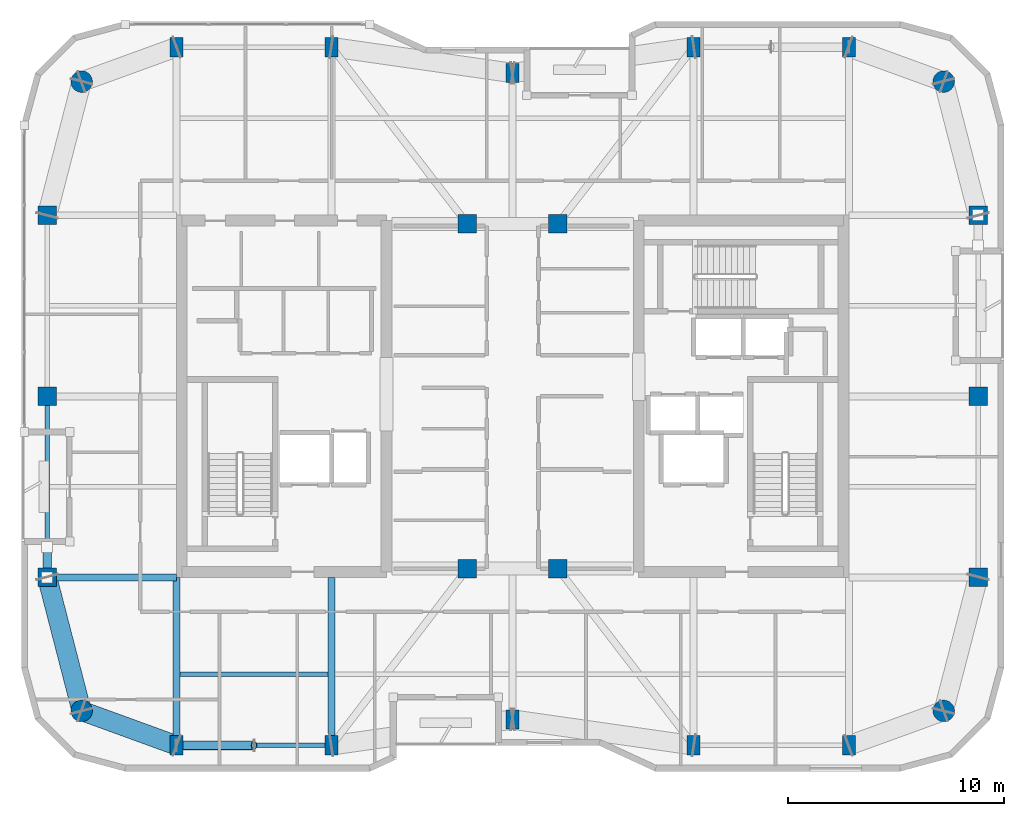
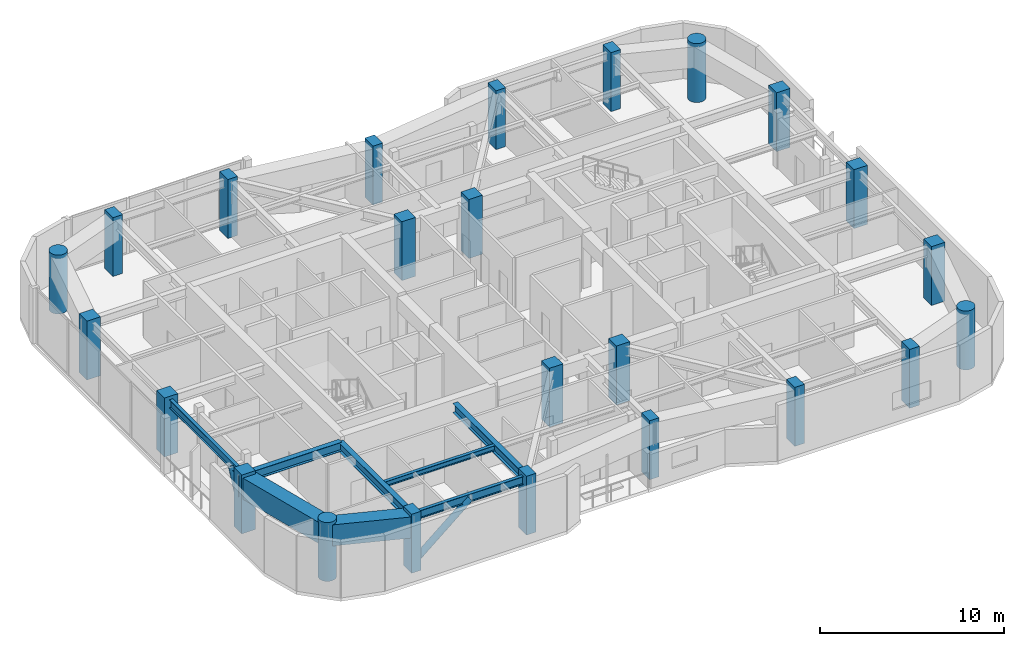
# One storey, part 1 of 16: 24 columns, 8 beams, 2 members.
"""IFC4 building model written with IfcOpenShell, lengths in metres."""

from ifc_helpers import new_model, si_unit, direction, frame, origin, origin_2d, place, context, subcontext, project, spatial, rectangle, hollow_rectangle, circle, hollow_circle, i_section, extrude, material, material_profile, profile_set, type_object, element, save


model = new_model("IFC4")

# Units and contexts
model_context = context("Model", 3, precision=1e-05, world=origin(), true_north=direction((0.0, 1.0)))
body_context = subcontext(model_context, "Body", "Model", "MODEL_VIEW")
ifc_project = project(units=[si_unit("LENGTHUNIT", "METRE"), si_unit("AREAUNIT", "SQUARE_METRE"), si_unit("VOLUMEUNIT", "CUBIC_METRE"), si_unit("PLANEANGLEUNIT", "RADIAN"), si_unit("MASSUNIT", "GRAM", prefix="KILO")], contexts=[model_context])

# Site, building, storey
site_placement = place(None, origin())
site = spatial("IfcSite", under=ifc_project, at=site_placement, CompositionType="ELEMENT")
building_placement = place(site_placement, origin())
building = spatial("IfcBuilding", under=site, at=building_placement, Name="Kiyonajd Concourse Tower", CompositionType="ELEMENT")
storey_placement = place(building_placement, frame((0.0, 0.0, 302.39990234375)))
storey = spatial("IfcBuildingStorey", under=building, at=storey_placement, Name="L76", CompositionType="ELEMENT", Elevation=302.39990234375)

# Columns
ifc_material_1 = material(Name="Concrete C60/75", Category="concrete")
ifc_material_profile_1 = material_profile(ifc_material_1, rectangle(XDim=0.60009765625, YDim=0.89990234375, at=origin_2d()), Name="RC-900x600")
ifc_profile_set_1 = profile_set([ifc_material_profile_1], Name="Concrete C60/75")
column_type_1 = type_object("IfcColumnType", Name="CL-BLADE-900", PredefinedType="COLUMN", material=ifc_profile_set_1)
for number, where, z_axis, x_axis, name in (
    (1, (32.39990234375, 19.800048828125, 0.0), (0.0, 0.0, 1.0), (1.0, 0.0, 0.0), "L76 Perimeter Bundled Tube Column"),
    (2, (32.39990234375, 52.199951171875, 0.0), (0.0, 0.0, 1.0), (1.0, 0.0, 0.0), "L76 Perimeter Bundled Tube Column"),
    (3, (39.60009765625, 19.800048828125, 0.0), (0.0, 0.0, 1.0), (1.0, 0.0, 0.0), "L76 Perimeter Bundled Tube Column"),
    (4, (39.60009765625, 52.199951171875, 0.0), (0.0, 0.0, 1.0), (1.0, 0.0, 0.0), "L76 Perimeter Bundled Tube Column"),
    (5, (48.0, 21.0, 0.0), (0.0, 0.0, 1.0), (1.0, 0.0, 0.0), "L76 Perimeter Bundled Tube Column"),
    (6, (48.0, 51.0, 0.0), (0.0, 0.0, 1.0), (1.0, 0.0, 0.0), "L76 Perimeter Bundled Tube Column"),
    (7, (56.39990234375, 19.800048828125, 0.0), (0.0, 0.0, 1.0), (1.0, 0.0, 0.0), "L76 Perimeter Bundled Tube Column"),
    (8, (56.39990234375, 52.199951171875, 0.0), (0.0, 0.0, 1.0), (1.0, 0.0, 0.0), "L76 Perimeter Bundled Tube Column"),
    (9, (63.60009765625, 19.800048828125, 0.0), (0.0, 0.0, 1.0), (1.0, 0.0, 0.0), "L76 Perimeter Bundled Tube Column"),
    (10, (63.60009765625, 52.199951171875, 0.0), (0.0, 0.0, 1.0), (1.0, 0.0, 0.0), "L76 Perimeter Bundled Tube Column"),
):
    element("IfcColumn", number, at=place(storey_placement, frame(where, z_axis=z_axis, x_axis=x_axis)), inside=storey, type_object=column_type_1, Name=name, PredefinedType="COLUMN", context=body_context, shape_type="SweptSolid", body=[
        extrude(rectangle(XDim=0.60009765625, YDim=0.89990234375, at=origin_2d()), origin(), (0.0, 0.0, 1.0), 3.900146484375),
    ])
ifc_material_profile_2 = material_profile(ifc_material_1, circle(Radius=0.5, at=origin_2d()), Name="RCC-D1000")
ifc_profile_set_2 = profile_set([ifc_material_profile_2], Name="Concrete C60/75")
column_type_2 = type_object("IfcColumnType", Name="CL-RND-1000", PredefinedType="COLUMN", material=ifc_profile_set_2)
for number, where, z_axis, x_axis, name in (
    (11, (28.0, 21.39990234375, 0.0), (0.0, 0.0, 1.0), (1.0, 0.0, 0.0), "L76 Bundled Tube Corner Column South West"),
    (12, (68.0, 21.39990234375, 0.0), (0.0, 0.0, 1.0), (1.0, 0.0, 0.0), "L76 Bundled Tube Corner Column South East"),
    (13, (68.0, 50.60009765625, 0.0), (0.0, 0.0, 1.0), (1.0, 0.0, 0.0), "L76 Bundled Tube Corner Column North East"),
    (14, (28.0, 50.60009765625, 0.0), (0.0, 0.0, 1.0), (1.0, 0.0, 0.0), "L76 Bundled Tube Corner Column North West"),
):
    element("IfcColumn", number, at=place(storey_placement, frame(where, z_axis=z_axis, x_axis=x_axis)), inside=storey, type_object=column_type_2, Name=name, PredefinedType="COLUMN", context=body_context, shape_type="SweptSolid", body=[
        extrude(circle(Radius=0.5, at=origin_2d()), origin(), (0.0, 0.0, 1.0), 3.900146484375),
    ])
ifc_material_profile_3 = material_profile(ifc_material_1, rectangle(XDim=0.85009765625, YDim=0.85009765625, at=origin_2d()), Name="RC-850x850")
ifc_profile_set_3 = profile_set([ifc_material_profile_3], Name="Concrete C60/75")
column_type_3 = type_object("IfcColumnType", Name="CL-TUBE-850", PredefinedType="COLUMN", material=ifc_profile_set_3)
for number, where, z_axis, x_axis, name in (
    (15, (26.39990234375, 27.60009765625, 0.0), (0.0, 0.0, 1.0), (1.0, 0.0, 0.0), "L76 Perimeter Bundled Tube Column"),
    (16, (69.60009765625, 27.60009765625, 0.0), (0.0, 0.0, 1.0), (1.0, 0.0, 0.0), "L76 Perimeter Bundled Tube Column"),
    (17, (26.39990234375, 36.0, 0.0), (0.0, 0.0, 1.0), (1.0, 0.0, 0.0), "L76 Perimeter Bundled Tube Column"),
    (18, (69.60009765625, 36.0, 0.0), (0.0, 0.0, 1.0), (1.0, 0.0, 0.0), "L76 Perimeter Bundled Tube Column"),
    (19, (26.39990234375, 44.39990234375, 0.0), (0.0, 0.0, 1.0), (1.0, 0.0, 0.0), "L76 Perimeter Bundled Tube Column"),
    (20, (69.60009765625, 44.39990234375, 0.0), (0.0, 0.0, 1.0), (1.0, 0.0, 0.0), "L76 Perimeter Bundled Tube Column"),
    (21, (45.89990234375, 28.0, 0.0), (0.0, 0.0, 1.0), (1.0, 0.0, 0.0), "L76 Core Tie Column South West"),
    (22, (50.10009765625, 28.0, 0.0), (0.0, 0.0, 1.0), (1.0, 0.0, 0.0), "L76 Core Tie Column South East"),
    (23, (45.89990234375, 44.0, 0.0), (0.0, 0.0, 1.0), (1.0, 0.0, 0.0), "L76 Core Tie Column North West"),
    (24, (50.10009765625, 44.0, 0.0), (0.0, 0.0, 1.0), (1.0, 0.0, 0.0), "L76 Core Tie Column North East"),
):
    element("IfcColumn", number, at=place(storey_placement, frame(where, z_axis=z_axis, x_axis=x_axis)), inside=storey, type_object=column_type_3, Name=name, PredefinedType="COLUMN", context=body_context, shape_type="SweptSolid", body=[
        extrude(rectangle(XDim=0.85009765625, YDim=0.85009765625, at=origin_2d()), origin(), (0.0, 0.0, 1.0), 3.900146484375),
    ])

# Beams
ifc_material_2 = material(Name="Steel ASTM A992 Grade 50", Category="steel")
ifc_material_profile_4 = material_profile(ifc_material_2, i_section(OverallWidth=0.205078125, OverallDepth=0.35400390625, WebThickness=0.009521484375, FlangeThickness=0.016845703125, at=origin_2d()), Name="W360X79")
ifc_profile_set_4 = profile_set([ifc_material_profile_4], Name="Steel ASTM A992 Grade 50")
beam_type_1 = type_object("IfcBeamType", Name="BM-JST-360", PredefinedType="JOIST", material=ifc_profile_set_4)
beam_1_placement = place(storey_placement, frame((32.56201171875, 23.10009765625, 3.503173828125), z_axis=(1.0, 0.0, 0.0), x_axis=(0.0, 1.0, 0.0)))
element("IfcBeam", 25, at=beam_1_placement, inside=storey, type_object=beam_type_1, Name="L76 Secondary Floor Joist", PredefinedType="JOIST", context=body_context, shape_type="SweptSolid", body=[
    extrude(i_section(OverallWidth=0.205078125, OverallDepth=0.35400390625, WebThickness=0.009521484375, FlangeThickness=0.016845703125, at=origin_2d()), origin(), (0.0, 0.0, 1.0), 6.8759765625),
])
ifc_material_profile_5 = material_profile(ifc_material_2, i_section(OverallWidth=0.2109375, OverallDepth=0.5390625, WebThickness=0.01171875, FlangeThickness=0.018798828125, at=origin_2d()), Name="W530X109")
ifc_profile_set_5 = profile_set([ifc_material_profile_5], Name="Steel ASTM A992 Grade 50")
beam_type_2 = type_object("IfcBeamType", Name="BM-SPAN-530B", PredefinedType="SPANDREL", material=ifc_profile_set_5)
beam_2_placement = place(storey_placement, frame((32.39990234375, 19.800048828125, 3.41064453125), z_axis=(1.0, 0.0, 0.0), x_axis=(0.0, 1.0, 0.0)))
element("IfcBeam", 26, at=beam_2_placement, inside=storey, type_object=beam_type_2, Name="L76 Perimeter Bundled Tube Spandrel", PredefinedType="SPANDREL", context=body_context, shape_type="SweptSolid", body=[
    extrude(i_section(OverallWidth=0.2109375, OverallDepth=0.5390625, WebThickness=0.01171875, FlangeThickness=0.018798828125, at=origin_2d()), origin(), (0.0, 0.0, 1.0), 7.2001953125),
])
beam_3_placement = place(storey_placement, frame((26.39990234375, 36.0, 3.41064453125), z_axis=(0.0, -1.0, 0.0), x_axis=(1.0, 0.0, 0.0)))
element("IfcBeam", 27, at=beam_3_placement, inside=storey, type_object=beam_type_2, Name="L76 Perimeter Bundled Tube Spandrel", PredefinedType="SPANDREL", context=body_context, shape_type="SweptSolid", body=[
    extrude(i_section(OverallWidth=0.2109375, OverallDepth=0.5390625, WebThickness=0.01171875, FlangeThickness=0.018798828125, at=origin_2d()), origin(), (0.0, 0.0, 1.0), 8.39990234375),
])
ifc_material_profile_6 = material_profile(ifc_material_2, i_section(OverallWidth=0.323974609375, OverallDepth=0.611083984375, WebThickness=0.0126953125, FlangeThickness=0.01904296875, at=origin_2d()), Name="W610X155")
ifc_profile_set_6 = profile_set([ifc_material_profile_6], Name="Steel ASTM A992 Grade 50")
beam_type_3 = type_object("IfcBeamType", Name="BM-TWR-610B", PredefinedType="BEAM", material=ifc_profile_set_6)
for number, where, z_axis, x_axis, name in (
    (28, (32.39990234375, 19.800048828125, 3.37451171875), (0.0, 1.0, 0.0), (-1.0, 0.0, 0.0), "L76 South Lease Girder"),
    (29, (39.60009765625, 19.800048828125, 3.37451171875), (0.0, 1.0, 0.0), (-1.0, 0.0, 0.0), "L76 South Lease Girder"),
):
    element("IfcBeam", number, at=place(storey_placement, frame(where, z_axis=z_axis, x_axis=x_axis)), inside=storey, type_object=beam_type_3, Name=name, PredefinedType="BEAM", context=body_context, shape_type="SweptSolid", body=[
        extrude(i_section(OverallWidth=0.323974609375, OverallDepth=0.611083984375, WebThickness=0.0126953125, FlangeThickness=0.01904296875, at=origin_2d()), origin(), (0.0, 0.0, 1.0), 7.800048828125),
    ])
beam_4_placement = place(storey_placement, frame((26.39990234375, 27.60009765625, 3.37451171875), z_axis=(1.0, 0.0, 0.0), x_axis=(0.0, 1.0, 0.0)))
element("IfcBeam", 30, at=beam_4_placement, inside=storey, type_object=beam_type_3, Name="L76 West Lease Girder", PredefinedType="BEAM", context=body_context, shape_type="SweptSolid", body=[
    extrude(i_section(OverallWidth=0.323974609375, OverallDepth=0.611083984375, WebThickness=0.0126953125, FlangeThickness=0.01904296875, at=origin_2d()), origin(), (0.0, 0.0, 1.0), 6.0),
])
ifc_material_3 = material(Name="Steel ASTM A572 Grade 50", Category="steel")
ifc_material_profile_7 = material_profile(ifc_material_3, hollow_rectangle(XDim=0.89990234375, YDim=1.39990234375, WallThickness=0.070068359375, at=origin_2d()), Name="BOX-1400x900x70")
ifc_profile_set_7 = profile_set([ifc_material_profile_7], Name="Steel ASTM A572 Grade 50")
beam_type_4 = type_object("IfcBeamType", Name="BM-XFER-1400", PredefinedType="BEAM", material=ifc_profile_set_7)
beam_5_placement = place(storey_placement, frame((26.39990234375, 27.60009765625, 2.97998046875), z_axis=(0.249884937687, -0.968275538221, 0.0), x_axis=(0.968275538221, 0.249884937687, 0.0)))
element("IfcBeam", 31, at=beam_5_placement, inside=storey, type_object=beam_type_4, Name="L76 Perimeter Bundled Tube Spandrel", PredefinedType="BEAM", context=body_context, shape_type="SweptSolid", body=[
    extrude(hollow_rectangle(XDim=0.89990234375, YDim=1.39990234375, WallThickness=0.070068359375, at=origin_2d()), origin(), (0.0, 0.0, 1.0), 6.4033203125),
])
beam_6_placement = place(storey_placement, frame((28.0, 21.39990234375, 2.97998046875), z_axis=(0.939801036019, -0.341722127901, 0.0), x_axis=(0.341722127901, 0.939801036019, 0.0)))
element("IfcBeam", 32, at=beam_6_placement, inside=storey, type_object=beam_type_4, Name="L76 Perimeter Bundled Tube Spandrel", PredefinedType="BEAM", context=body_context, shape_type="SweptSolid", body=[
    extrude(hollow_rectangle(XDim=0.89990234375, YDim=1.39990234375, WallThickness=0.070068359375, at=origin_2d()), origin(), (0.0, 0.0, 1.0), 4.681640625),
])

# Members
ifc_material_4 = material(Name="Steel ASTM A500 Grade C", Category="steel")
ifc_material_profile_8 = material_profile(ifc_material_4, hollow_circle(Radius=0.202880859375, WallThickness=0.01904296875, at=origin_2d()), Name="CHS-406x19")
ifc_profile_set_8 = profile_set([ifc_material_profile_8], Name="Steel ASTM A500 Grade C")
member_type = type_object("IfcMemberType", Name="MB-PB-HIGH", PredefinedType="BRACE", material=ifc_profile_set_8)
member_1_placement = place(storey_placement, frame((32.39990234375, 19.800048828125, 0.300048828125), z_axis=(0.765082043761, 0.0, 0.643932811957), x_axis=(0.0, 1.0, 0.0)))
element("IfcMember", 33, at=member_1_placement, inside=storey, type_object=member_type, Name="L76 Upper Zone Hollow Tube Brace PBS", PredefinedType="BRACE", context=body_context, shape_type="SweptSolid", body=[
    extrude(hollow_circle(Radius=0.202880859375, WallThickness=0.01904296875, at=origin_2d()), origin(), (0.0, 0.0, 1.0), 4.70556640625),
])
member_2_placement = place(storey_placement, frame((26.39990234375, 27.60009765625, 0.300048828125), z_axis=(0.0, 0.419410666774, 0.907796614114), x_axis=(-1.0, 0.0, 0.0)))
element("IfcMember", 34, at=member_2_placement, inside=storey, type_object=member_type, Name="L76 Upper Zone Hollow Tube Brace PBW", PredefinedType="BRACE", context=body_context, shape_type="SweptSolid", body=[
    extrude(hollow_circle(Radius=0.202880859375, WallThickness=0.01904296875, at=origin_2d()), origin(), (0.0, 0.0, 1.0), 3.337890625),
])

save(model, "model.ifc")
